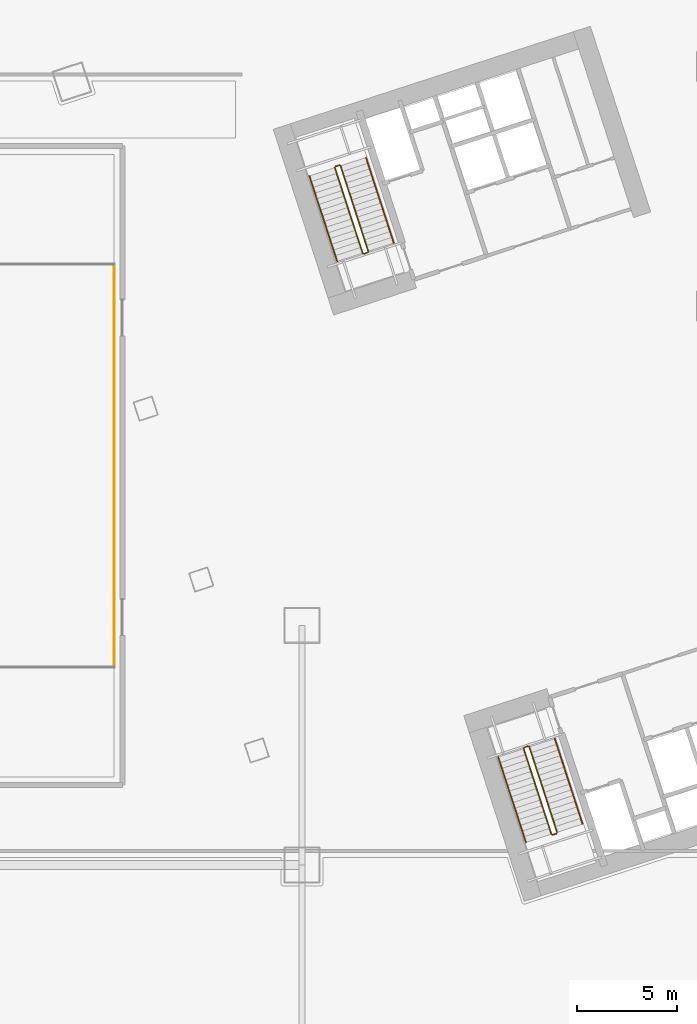
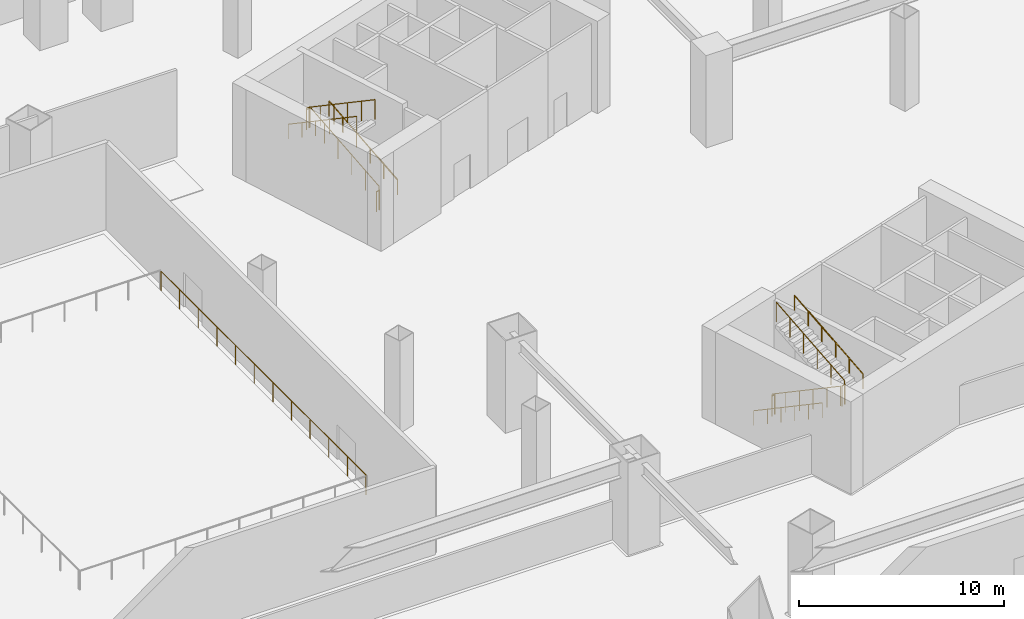
# One storey, part 34 of 35: 13 railings.
"""IFC4 building model written with IfcOpenShell, lengths in metres."""

from ifc_helpers import new_model, si_unit, direction, frame, origin, origin_2d, place, context, subcontext, project, spatial, circle, extrude, material, type_object, element, save


model = new_model("IFC4")

# Units and contexts
model_context = context("Model", 3, precision=1e-05, world=origin(), true_north=direction((0.0, 1.0)))
body_context = subcontext(model_context, "Body", "Model", "MODEL_VIEW")
ifc_project = project(units=[si_unit("LENGTHUNIT", "METRE"), si_unit("AREAUNIT", "SQUARE_METRE"), si_unit("VOLUMEUNIT", "CUBIC_METRE"), si_unit("PLANEANGLEUNIT", "RADIAN"), si_unit("MASSUNIT", "GRAM", prefix="KILO")], contexts=[model_context])

# Site, building, storey
site_placement = place(None, origin())
site = spatial("IfcSite", under=ifc_project, at=site_placement, CompositionType="ELEMENT")
building_placement = place(site_placement, origin())
building = spatial("IfcBuilding", under=site, at=building_placement, Name="Qiaolan Cultural Towers", CompositionType="ELEMENT")
storey_placement = place(building_placement, frame((0.0, 0.0, 6.0)))
storey = spatial("IfcBuildingStorey", under=building, at=storey_placement, Name="L01", CompositionType="ELEMENT", Elevation=6.0)

# Railings
ifc_material_1 = material(Name="Laminated SentryGlas & Stainless Steel S31608 Balustrade", Category="steel")
railing_type_1 = type_object("IfcRailingType", Name="GRD-TERR-1200", PredefinedType="BALUSTRADE", material=ifc_material_1)
railing_1_placement = place(storey_placement, frame((68.10009765625, 23.97998046875, 0.0)))
element("IfcRailing", 1, at=railing_1_placement, inside=storey, type_object=railing_type_1, Name="L01 Metro Concourse Lightwell Balustrade E", PredefinedType="BALUSTRADE", context=body_context, shape_type="SweptSolid", body=[
    extrude(circle(Radius=0.02392578125, at=origin_2d()), frame((0.0, 0.0, 1.17578125), z_axis=(0.0, 1.0, 0.0), x_axis=(-1.0, 0.0, 0.0)), (0.0, 0.0, 1.0), 20.0400390625),
    extrude(circle(Radius=0.02099609375, at=origin_2d()), origin(), (0.0, 0.0, 1.0), 1.15185546875),
    extrude(circle(Radius=0.02099609375, at=origin_2d()), frame((0.0, 1.82177734375, 0.0)), (0.0, 0.0, 1.0), 1.15185546875),
    extrude(circle(Radius=0.02099609375, at=origin_2d()), frame((0.0, 3.6435546875, 0.0)), (0.0, 0.0, 1.0), 1.15185546875),
    extrude(circle(Radius=0.02099609375, at=origin_2d()), frame((0.0, 5.465576171875, 0.0)), (0.0, 0.0, 1.0), 1.15185546875),
    extrude(circle(Radius=0.02099609375, at=origin_2d()), frame((0.0, 7.287353515625, 0.0)), (0.0, 0.0, 1.0), 1.15185546875),
    extrude(circle(Radius=0.02099609375, at=origin_2d()), frame((0.0, 9.109130859375, 0.0)), (0.0, 0.0, 1.0), 1.15185546875),
    extrude(circle(Radius=0.02099609375, at=origin_2d()), frame((0.0, 10.930908203125, 0.0)), (0.0, 0.0, 1.0), 1.15185546875),
    extrude(circle(Radius=0.02099609375, at=origin_2d()), frame((0.0, 12.752685546875, 0.0)), (0.0, 0.0, 1.0), 1.15185546875),
    extrude(circle(Radius=0.02099609375, at=origin_2d()), frame((0.0, 14.574462890625, 0.0)), (0.0, 0.0, 1.0), 1.15185546875),
    extrude(circle(Radius=0.02099609375, at=origin_2d()), frame((0.0, 16.396484375, 0.0)), (0.0, 0.0, 1.0), 1.15185546875),
    extrude(circle(Radius=0.02099609375, at=origin_2d()), frame((0.0, 18.21826171875, 0.0)), (0.0, 0.0, 1.0), 1.15185546875),
    extrude(circle(Radius=0.02099609375, at=origin_2d()), frame((0.0, 20.0400390625, 0.0)), (0.0, 0.0, 1.0), 1.15185546875),
])
ifc_material_2 = material(Name="Galvanized Painted Steel Stair Guardrail", Category="steel")
railing_type_2 = type_object("IfcRailingType", Name="RL-STAIR-GRD", PredefinedType="GUARDRAIL", material=ifc_material_2)
railing_2_placement = place(storey_placement, frame((88.60205078125, 19.82421875, 0.171875)))
element("IfcRailing", 2, at=railing_2_placement, inside=storey, type_object=railing_type_2, Name="L01 ST-E1 stair guard 1", PredefinedType="GUARDRAIL", context=body_context, shape_type="SweptSolid", body=[
    extrude(circle(Radius=0.02392578125, at=origin_2d()), frame((0.0, 0.0, 1.17578125), z_axis=(0.268137207864, -0.825218619006, 0.497108306714), x_axis=(0.951054001411, 0.309024734286, 0.0)), (0.0, 0.0, 1.0), 5.186279296875),
    extrude(circle(Radius=0.02099609375, at=origin_2d()), origin(), (0.0, 0.0, 1.0), 1.15185546875),
    extrude(circle(Radius=0.02099609375, at=origin_2d()), frame((0.278076171875, -0.85595703125, 0.515625)), (0.0, 0.0, 1.0), 1.15185546875),
    extrude(circle(Radius=0.02099609375, at=origin_2d()), frame((0.55615234375, -1.7119140625, 1.03125)), (0.0, 0.0, 1.0), 1.15185546875),
    extrude(circle(Radius=0.02099609375, at=origin_2d()), frame((0.83447265625, -2.56787109375, 1.546875)), (0.0, 0.0, 1.0), 1.15185546875),
    extrude(circle(Radius=0.02099609375, at=origin_2d()), frame((1.112548828125, -3.423828125, 2.0625)), (0.0, 0.0, 1.0), 1.15185546875),
    extrude(circle(Radius=0.02099609375, at=origin_2d()), frame((1.390625, -4.27978515625, 2.578125)), (0.0, 0.0, 1.0), 1.15185546875),
])
railing_3_placement = place(storey_placement, frame((90.0556640625, 15.512451171875, 2.75)))
element("IfcRailing", 3, at=railing_3_placement, inside=storey, type_object=railing_type_2, Name="L01 ST-E1 stair guard 2", PredefinedType="GUARDRAIL", context=body_context, shape_type="SweptSolid", body=[
    extrude(circle(Radius=0.02392578125, at=origin_2d()), frame((0.0, 0.0, 1.17578125), z_axis=(0.951096855055, 0.308892816854, 0.0), x_axis=(-0.308892816854, 0.951096855055, 0.0)), (0.0, 0.0, 1.0), 0.199951171875),
    extrude(circle(Radius=0.02099609375, at=origin_2d()), origin(), (0.0, 0.0, 1.0), 1.15185546875),
    extrude(circle(Radius=0.02099609375, at=origin_2d()), frame((0.190185546875, 0.061767578125, 0.0)), (0.0, 0.0, 1.0), 1.15185546875),
])
railing_4_placement = place(storey_placement, frame((90.278076171875, 15.63720703125, 2.921875)))
element("IfcRailing", 4, at=railing_4_placement, inside=storey, type_object=railing_type_2, Name="L01 ST-E1 stair guard 3", PredefinedType="GUARDRAIL", context=body_context, shape_type="SweptSolid", body=[
    extrude(circle(Radius=0.02392578125, at=origin_2d()), frame((0.0, 0.0, 1.17578125), z_axis=(-0.268137207864, 0.825218619006, 0.497108306714), x_axis=(-0.951054001411, -0.309024734286, 0.0)), (0.0, 0.0, 1.0), 5.186279296875),
    extrude(circle(Radius=0.02099609375, at=origin_2d()), origin(), (0.0, 0.0, 1.0), 1.15185546875),
    extrude(circle(Radius=0.02099609375, at=origin_2d()), frame((-0.278076171875, 0.85595703125, 0.515625)), (0.0, 0.0, 1.0), 1.15185546875),
    extrude(circle(Radius=0.02099609375, at=origin_2d()), frame((-0.55615234375, 1.7119140625, 1.03125)), (0.0, 0.0, 1.0), 1.15185546875),
    extrude(circle(Radius=0.02099609375, at=origin_2d()), frame((-0.83447265625, 2.56787109375, 1.546875)), (0.0, 0.0, 1.0), 1.15185546875),
    extrude(circle(Radius=0.02099609375, at=origin_2d()), frame((-1.112548828125, 3.423828125, 2.0625)), (0.0, 0.0, 1.0), 1.15185546875),
    extrude(circle(Radius=0.02099609375, at=origin_2d()), frame((-1.390625, 4.27978515625, 2.578125)), (0.0, 0.0, 1.0), 1.15185546875),
])
railing_5_placement = place(storey_placement, frame((88.63427734375, 19.88720703125, 0.0)))
element("IfcRailing", 5, at=railing_5_placement, inside=storey, type_object=railing_type_2, Name="L01 ST-E1 stair guard 4", PredefinedType="GUARDRAIL", context=body_context, shape_type="SweptSolid", body=[
    extrude(circle(Radius=0.02392578125, at=origin_2d()), frame((0.0, 0.0, 1.17578125), z_axis=(0.951096855055, 0.308892816854, 0.0), x_axis=(-0.308892816854, 0.951096855055, 0.0)), (0.0, 0.0, 1.0), 0.199951171875),
    extrude(circle(Radius=0.02099609375, at=origin_2d()), origin(), (0.0, 0.0, 1.0), 1.15185546875),
    extrude(circle(Radius=0.02099609375, at=origin_2d()), frame((0.190185546875, 0.061767578125, 0.0)), (0.0, 0.0, 1.0), 1.15185546875),
])
railing_6_placement = place(storey_placement, frame((80.822021484375, 44.739501953125, 0.171875)))
element("IfcRailing", 6, at=railing_6_placement, inside=storey, type_object=railing_type_2, Name="L01 ST-E2 stair guard 1", PredefinedType="GUARDRAIL", context=body_context, shape_type="SweptSolid", body=[
    extrude(circle(Radius=0.02392578125, at=origin_2d()), frame((0.0, 0.0, 1.17578125), z_axis=(-0.268093516939, 0.825229034582, 0.497114581015), x_axis=(-0.951069945308, -0.308975661068, 0.0)), (0.0, 0.0, 1.0), 5.186279296875),
    extrude(circle(Radius=0.02099609375, at=origin_2d()), origin(), (0.0, 0.0, 1.0), 1.15185546875),
    extrude(circle(Radius=0.02099609375, at=origin_2d()), frame((-0.278076171875, 0.85595703125, 0.515625)), (0.0, 0.0, 1.0), 1.15185546875),
    extrude(circle(Radius=0.02099609375, at=origin_2d()), frame((-0.55615234375, 1.7119140625, 1.03125)), (0.0, 0.0, 1.0), 1.15185546875),
    extrude(circle(Radius=0.02099609375, at=origin_2d()), frame((-0.834228515625, 2.56787109375, 1.546875)), (0.0, 0.0, 1.0), 1.15185546875),
    extrude(circle(Radius=0.02099609375, at=origin_2d()), frame((-1.1123046875, 3.423828125, 2.0625)), (0.0, 0.0, 1.0), 1.15185546875),
    extrude(circle(Radius=0.02099609375, at=origin_2d()), frame((-1.390380859375, 4.27978515625, 2.578125)), (0.0, 0.0, 1.0), 1.15185546875),
])
railing_7_placement = place(storey_placement, frame((79.36865234375, 49.05126953125, 2.75)))
element("IfcRailing", 7, at=railing_7_placement, inside=storey, type_object=railing_type_2, Name="L01 ST-E2 stair guard 2", PredefinedType="GUARDRAIL", context=body_context, shape_type="SweptSolid", body=[
    extrude(circle(Radius=0.02392578125, at=origin_2d()), frame((0.0, 0.0, 1.17578125), z_axis=(-0.951213146275, -0.308534520522, 0.0), x_axis=(0.308534520522, -0.951213146275, 0.0)), (0.0, 0.0, 1.0), 0.2001953125),
    extrude(circle(Radius=0.02099609375, at=origin_2d()), origin(), (0.0, 0.0, 1.0), 1.15185546875),
    extrude(circle(Radius=0.02099609375, at=origin_2d()), frame((-0.1904296875, -0.061767578125, 0.0)), (0.0, 0.0, 1.0), 1.15185546875),
])
railing_8_placement = place(storey_placement, frame((79.146240234375, 48.926513671875, 2.921875)))
element("IfcRailing", 8, at=railing_8_placement, inside=storey, type_object=railing_type_2, Name="L01 ST-E2 stair guard 3", PredefinedType="GUARDRAIL", context=body_context, shape_type="SweptSolid", body=[
    extrude(circle(Radius=0.02392578125, at=origin_2d()), frame((0.0, 0.0, 1.17578125), z_axis=(0.268137207864, -0.825218619006, 0.497108306714), x_axis=(0.951054001411, 0.309024734286, 0.0)), (0.0, 0.0, 1.0), 5.186279296875),
    extrude(circle(Radius=0.02099609375, at=origin_2d()), origin(), (0.0, 0.0, 1.0), 1.15185546875),
    extrude(circle(Radius=0.02099609375, at=origin_2d()), frame((0.278076171875, -0.85595703125, 0.515625)), (0.0, 0.0, 1.0), 1.15185546875),
    extrude(circle(Radius=0.02099609375, at=origin_2d()), frame((0.55615234375, -1.7119140625, 1.03125)), (0.0, 0.0, 1.0), 1.15185546875),
    extrude(circle(Radius=0.02099609375, at=origin_2d()), frame((0.83447265625, -2.56787109375, 1.546875)), (0.0, 0.0, 1.0), 1.15185546875),
    extrude(circle(Radius=0.02099609375, at=origin_2d()), frame((1.112548828125, -3.423828125, 2.0625)), (0.0, 0.0, 1.0), 1.15185546875),
    extrude(circle(Radius=0.02099609375, at=origin_2d()), frame((1.390625, -4.27978515625, 2.578125)), (0.0, 0.0, 1.0), 1.15185546875),
])
railing_9_placement = place(storey_placement, frame((80.7900390625, 44.676513671875, 0.0)))
element("IfcRailing", 9, at=railing_9_placement, inside=storey, type_object=railing_type_2, Name="L01 ST-E2 stair guard 4", PredefinedType="GUARDRAIL", context=body_context, shape_type="SweptSolid", body=[
    extrude(circle(Radius=0.02392578125, at=origin_2d()), frame((0.0, 0.0, 1.17578125), z_axis=(-0.951096855055, -0.308892816854, 0.0), x_axis=(0.308892816854, -0.951096855055, 0.0)), (0.0, 0.0, 1.0), 0.199951171875),
    extrude(circle(Radius=0.02099609375, at=origin_2d()), origin(), (0.0, 0.0, 1.0), 1.15185546875),
    extrude(circle(Radius=0.02099609375, at=origin_2d()), frame((-0.190185546875, -0.061767578125, 0.0)), (0.0, 0.0, 1.0), 1.15185546875),
])
ifc_material_3 = material(Name="Stainless Steel S30408 Tubular Handrail", Category="steel")
railing_type_3 = type_object("IfcRailingType", Name="RL-STAIR-HR", PredefinedType="HANDRAIL", material=ifc_material_3)
railing_10_placement = place(storey_placement, frame((87.32763671875, 19.41015625, 0.171875)))
element("IfcRailing", 10, at=railing_10_placement, inside=storey, type_object=railing_type_3, Name="L01 ST-E1 stair handrail 1", PredefinedType="HANDRAIL", context=body_context, shape_type="SweptSolid", body=[
    extrude(circle(Radius=0.02392578125, at=origin_2d()), frame((0.0, 0.0, 0.8759765625), z_axis=(0.268137207864, -0.825218619006, 0.497108306714), x_axis=(0.951054001411, 0.309024734286, 0.0)), (0.0, 0.0, 1.0), 5.186279296875),
    extrude(circle(Radius=0.02099609375, at=origin_2d()), origin(), (0.0, 0.0, 1.0), 0.851806640625),
    extrude(circle(Radius=0.02099609375, at=origin_2d()), frame((0.278076171875, -0.85595703125, 0.515625)), (0.0, 0.0, 1.0), 0.851806640625),
    extrude(circle(Radius=0.02099609375, at=origin_2d()), frame((0.55615234375, -1.7119140625, 1.03125)), (0.0, 0.0, 1.0), 0.851806640625),
    extrude(circle(Radius=0.02099609375, at=origin_2d()), frame((0.83447265625, -2.56787109375, 1.546875)), (0.0, 0.0, 1.0), 0.851806640625),
    extrude(circle(Radius=0.02099609375, at=origin_2d()), frame((1.112548828125, -3.423828125, 2.0625)), (0.0, 0.0, 1.0), 0.851806640625),
    extrude(circle(Radius=0.02099609375, at=origin_2d()), frame((1.390625, -4.27978515625, 2.578125)), (0.0, 0.0, 1.0), 0.851806640625),
])
railing_11_placement = place(storey_placement, frame((91.552490234375, 16.05126953125, 2.921875)))
element("IfcRailing", 11, at=railing_11_placement, inside=storey, type_object=railing_type_3, Name="L01 ST-E1 stair handrail 2", PredefinedType="HANDRAIL", context=body_context, shape_type="SweptSolid", body=[
    extrude(circle(Radius=0.02392578125, at=origin_2d()), frame((0.0, 0.0, 0.8759765625), z_axis=(-0.268137207864, 0.825218619006, 0.497108306714), x_axis=(-0.951054001411, -0.309024734286, 0.0)), (0.0, 0.0, 1.0), 5.186279296875),
    extrude(circle(Radius=0.02099609375, at=origin_2d()), origin(), (0.0, 0.0, 1.0), 0.851806640625),
    extrude(circle(Radius=0.02099609375, at=origin_2d()), frame((-0.278076171875, 0.85595703125, 0.515625)), (0.0, 0.0, 1.0), 0.851806640625),
    extrude(circle(Radius=0.02099609375, at=origin_2d()), frame((-0.55615234375, 1.7119140625, 1.03125)), (0.0, 0.0, 1.0), 0.851806640625),
    extrude(circle(Radius=0.02099609375, at=origin_2d()), frame((-0.83447265625, 2.56787109375, 1.546875)), (0.0, 0.0, 1.0), 0.851806640625),
    extrude(circle(Radius=0.02099609375, at=origin_2d()), frame((-1.112548828125, 3.423828125, 2.0625)), (0.0, 0.0, 1.0), 0.851806640625),
    extrude(circle(Radius=0.02099609375, at=origin_2d()), frame((-1.390625, 4.27978515625, 2.578125)), (0.0, 0.0, 1.0), 0.851806640625),
])
railing_12_placement = place(storey_placement, frame((82.096435546875, 45.153564453125, 0.171875)))
element("IfcRailing", 12, at=railing_12_placement, inside=storey, type_object=railing_type_3, Name="L01 ST-E2 stair handrail 1", PredefinedType="HANDRAIL", context=body_context, shape_type="SweptSolid", body=[
    extrude(circle(Radius=0.02392578125, at=origin_2d()), frame((0.0, 0.0, 0.8759765625), z_axis=(-0.268093516939, 0.825229034582, 0.497114581015), x_axis=(-0.951069945308, -0.308975661068, 0.0)), (0.0, 0.0, 1.0), 5.186279296875),
    extrude(circle(Radius=0.02099609375, at=origin_2d()), origin(), (0.0, 0.0, 1.0), 0.851806640625),
    extrude(circle(Radius=0.02099609375, at=origin_2d()), frame((-0.278076171875, 0.85595703125, 0.515625)), (0.0, 0.0, 1.0), 0.851806640625),
    extrude(circle(Radius=0.02099609375, at=origin_2d()), frame((-0.55615234375, 1.7119140625, 1.03125)), (0.0, 0.0, 1.0), 0.851806640625),
    extrude(circle(Radius=0.02099609375, at=origin_2d()), frame((-0.834228515625, 2.56787109375, 1.546875)), (0.0, 0.0, 1.0), 0.851806640625),
    extrude(circle(Radius=0.02099609375, at=origin_2d()), frame((-1.1123046875, 3.423828125, 2.0625)), (0.0, 0.0, 1.0), 0.851806640625),
    extrude(circle(Radius=0.02099609375, at=origin_2d()), frame((-1.390380859375, 4.27978515625, 2.578125)), (0.0, 0.0, 1.0), 0.851806640625),
])
railing_13_placement = place(storey_placement, frame((77.871826171875, 48.512451171875, 2.921875)))
element("IfcRailing", 13, at=railing_13_placement, inside=storey, type_object=railing_type_3, Name="L01 ST-E2 stair handrail 2", PredefinedType="HANDRAIL", context=body_context, shape_type="SweptSolid", body=[
    extrude(circle(Radius=0.02392578125, at=origin_2d()), frame((0.0, 0.0, 0.8759765625), z_axis=(0.268137207864, -0.825218619006, 0.497108306714), x_axis=(0.951054001411, 0.309024734286, 0.0)), (0.0, 0.0, 1.0), 5.186279296875),
    extrude(circle(Radius=0.02099609375, at=origin_2d()), origin(), (0.0, 0.0, 1.0), 0.851806640625),
    extrude(circle(Radius=0.02099609375, at=origin_2d()), frame((0.278076171875, -0.85595703125, 0.515625)), (0.0, 0.0, 1.0), 0.851806640625),
    extrude(circle(Radius=0.02099609375, at=origin_2d()), frame((0.55615234375, -1.7119140625, 1.03125)), (0.0, 0.0, 1.0), 0.851806640625),
    extrude(circle(Radius=0.02099609375, at=origin_2d()), frame((0.83447265625, -2.56787109375, 1.546875)), (0.0, 0.0, 1.0), 0.851806640625),
    extrude(circle(Radius=0.02099609375, at=origin_2d()), frame((1.112548828125, -3.423828125, 2.0625)), (0.0, 0.0, 1.0), 0.851806640625),
    extrude(circle(Radius=0.02099609375, at=origin_2d()), frame((1.390625, -4.27978515625, 2.578125)), (0.0, 0.0, 1.0), 0.851806640625),
])

save(model, "model.ifc")
